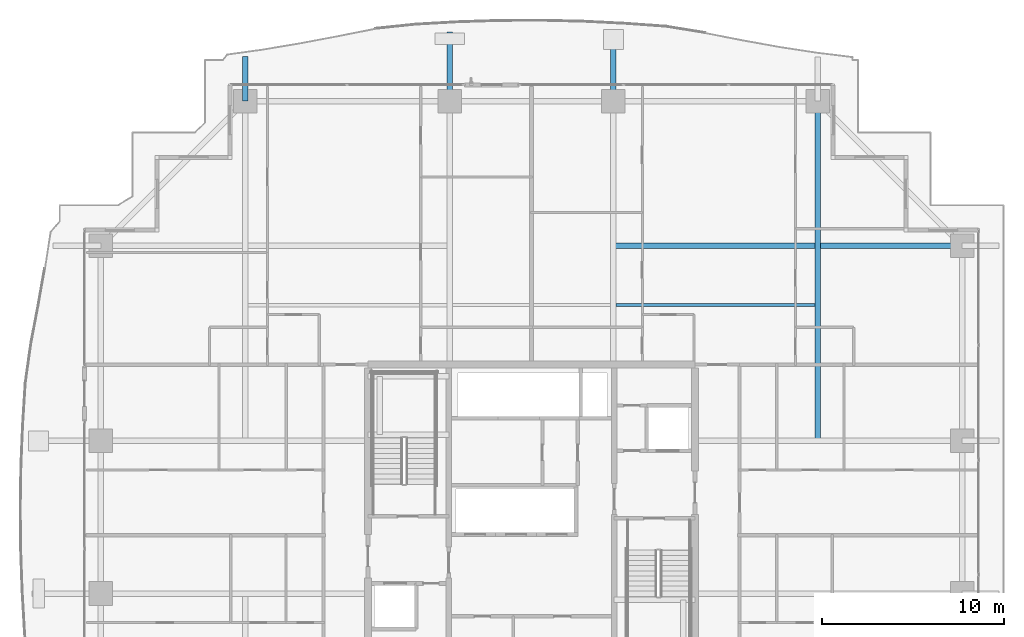
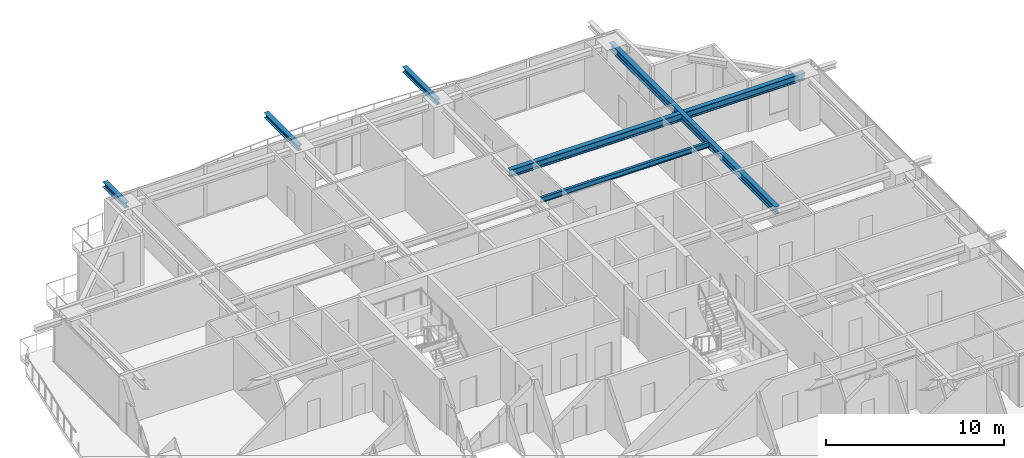
# One storey, part 21 of 39: 6 beams.
"""IFC4 building model written with IfcOpenShell, lengths in metres."""

from ifc_helpers import new_model, si_unit, direction, frame, origin, origin_2d, place, context, subcontext, project, spatial, i_section, extrude, source, transform, mapped, material, material_profile, profile_set, type_object, element, save


model = new_model("IFC4")

# Units and contexts
model_context = context("Model", 3, precision=1e-05, world=origin(), true_north=direction((0.0, 1.0)))
body_context = subcontext(model_context, "Body", "Model", "MODEL_VIEW")
ifc_project = project(units=[si_unit("LENGTHUNIT", "METRE"), si_unit("AREAUNIT", "SQUARE_METRE"), si_unit("VOLUMEUNIT", "CUBIC_METRE"), si_unit("PLANEANGLEUNIT", "RADIAN"), si_unit("MASSUNIT", "GRAM", prefix="KILO")], contexts=[model_context])

# Site, building, storey
site_placement = place(None, origin())
site = spatial("IfcSite", under=ifc_project, at=site_placement, CompositionType="ELEMENT")
building_placement = place(site_placement, origin())
building = spatial("IfcBuilding", under=site, at=building_placement, Name="Serunith Strait Residences", CompositionType="ELEMENT")
storey_placement = place(building_placement, frame((0.0, 0.0, 123.89990234375)))
storey = spatial("IfcBuildingStorey", under=building, at=storey_placement, Name="L30", CompositionType="ELEMENT", Elevation=123.89990234375)

# Beams
ifc_material = material(Name="Steel S355J2", Category="steel")
ifc_material_profile_1 = material_profile(ifc_material, i_section(OverallWidth=0.300048828125, OverallDepth=0.5, WebThickness=0.014404296875, FlangeThickness=0.028076171875, FilletRadius=0.027099609375, at=origin_2d()), Name="HEB 500")
ifc_profile_set_1 = profile_set([ifc_material_profile_1], Name="Steel S355J2")
beam_type_1 = type_object("IfcBeamType", Name="BM-HEB500", PredefinedType="BEAM", material=ifc_profile_set_1)
shared_shape_1 = source(origin(), body_context, "Body", "SweptSolid", [
    extrude(i_section(OverallWidth=0.300048828125, OverallDepth=0.5, WebThickness=0.014404296875, FlangeThickness=0.028076171875, FilletRadius=0.027099609375, at=origin_2d()), origin(), (0.0, 0.0, 1.0), 18.7001953125),
])
beam_1_placement = place(storey_placement, frame((48.14990234375, 29.39990234375, 3.237060546875), z_axis=(0.0, 1.0, 0.0), x_axis=(-1.0, 0.0, 0.0)))
element("IfcBeam", 1, at=beam_1_placement, inside=storey, type_object=beam_type_1, Name="L30 Orthogonal Corner Girder TC-N4", PredefinedType="BEAM", context=body_context, shape_type="MappedRepresentation", body=[
    mapped(shared_shape_1, transform((0.0, 0.0, 0.0), scale=1.0)),
])
shared_shape_2 = source(origin(), body_context, "Body", "SweptSolid", [
    extrude(i_section(OverallWidth=0.300048828125, OverallDepth=0.5, WebThickness=0.014404296875, FlangeThickness=0.028076171875, FilletRadius=0.027099609375, at=origin_2d()), origin(), (0.0, 0.0, 1.0), 19.2001953125),
])
beam_2_placement = place(storey_placement, frame((36.89990234375, 40.14990234375, 3.237060546875), z_axis=(1.0, 0.0, 0.0), x_axis=(0.0, 1.0, 0.0)))
element("IfcBeam", 2, at=beam_2_placement, inside=storey, type_object=beam_type_1, Name="L30 Orthogonal Corner Girder TC-E4", PredefinedType="BEAM", context=body_context, shape_type="MappedRepresentation", body=[
    mapped(shared_shape_2, transform((0.0, 0.0, 0.0), scale=1.0)),
])
ifc_material_profile_2 = material_profile(ifc_material, i_section(OverallWidth=0.169921875, OverallDepth=0.360107421875, WebThickness=0.008056640625, FlangeThickness=0.0126953125, FilletRadius=0.01806640625, at=origin_2d()), Name="IPE 360")
ifc_profile_set_2 = profile_set([ifc_material_profile_2], Name="Steel S355J2")
beam_type_2 = type_object("IfcBeamType", Name="BM-IPE360", PredefinedType="JOIST", material=ifc_profile_set_2)
shared_shape_3 = source(origin(), body_context, "Body", "SweptSolid", [
    extrude(i_section(OverallWidth=0.169921875, OverallDepth=0.360107421875, WebThickness=0.008056640625, FlangeThickness=0.0126953125, FilletRadius=0.01806640625, at=origin_2d()), origin(), (0.0, 0.0, 1.0), 10.949951171875),
])
beam_3_placement = place(storey_placement, frame((37.050048828125, 36.875, 3.30712890625), z_axis=(1.0, 0.0, 0.0), x_axis=(0.0, 1.0, 0.0)))
element("IfcBeam", 3, at=beam_3_placement, inside=storey, type_object=beam_type_2, Name="L30 Composite Floor Joist 06", PredefinedType="JOIST", context=body_context, shape_type="MappedRepresentation", body=[
    mapped(shared_shape_3, transform((0.0, 0.0, 0.0), scale=1.0)),
])
ifc_material_profile_3 = material_profile(ifc_material, i_section(OverallWidth=0.300048828125, OverallDepth=0.360107421875, WebThickness=0.012451171875, FlangeThickness=0.0224609375, FilletRadius=0.027099609375, at=origin_2d()), Name="HEB 360")
ifc_profile_set_3 = profile_set([ifc_material_profile_3], Name="Steel S355J2")
beam_type_3 = type_object("IfcBeamType", Name="BM-HEB360", PredefinedType="BEAM", material=ifc_profile_set_3)
shared_shape_4 = source(origin(), body_context, "Body", "SweptSolid", [
    extrude(i_section(OverallWidth=0.300048828125, OverallDepth=0.360107421875, WebThickness=0.012451171875, FlangeThickness=0.0224609375, FilletRadius=0.027099609375, at=origin_2d()), origin(), (0.0, 0.0, 1.0), 2.46435546875),
])
beam_4_placement = place(storey_placement, frame((16.64990234375, 48.10009765625, 3.277099609375), z_axis=(0.0, 1.0, 0.0), x_axis=(-1.0, 0.0, 0.0)))
element("IfcBeam", 4, at=beam_4_placement, inside=storey, type_object=beam_type_3, Name="L31 Cantilevered Balcony Rib TC-N1", PredefinedType="BEAM", context=body_context, shape_type="MappedRepresentation", body=[
    mapped(shared_shape_4, transform((0.0, 0.0, 0.0), scale=1.0)),
])
shared_shape_5 = source(origin(), body_context, "Body", "SweptSolid", [
    extrude(i_section(OverallWidth=0.300048828125, OverallDepth=0.360107421875, WebThickness=0.012451171875, FlangeThickness=0.0224609375, FilletRadius=0.027099609375, at=origin_2d()), origin(), (0.0, 0.0, 1.0), 3.7998046875),
])
for number, where, z_axis, x_axis, name in (
    (5, (27.89990234375, 48.10009765625, 3.277099609375), (0.0, 1.0, 0.0), (-1.0, 0.0, 0.0), "L31 Cantilevered Balcony Rib TC-N2"),
    (6, (36.89990234375, 48.10009765625, 3.277099609375), (0.0, 1.0, 0.0), (-1.0, 0.0, 0.0), "L31 Cantilevered Balcony Rib TC-N3"),
):
    element("IfcBeam", number, at=place(storey_placement, frame(where, z_axis=z_axis, x_axis=x_axis)), inside=storey, type_object=beam_type_3, Name=name, PredefinedType="BEAM", context=body_context, shape_type="MappedRepresentation", body=[
        mapped(shared_shape_5, transform((0.0, 0.0, 0.0), scale=1.0)),
    ])

save(model, "model.ifc")
